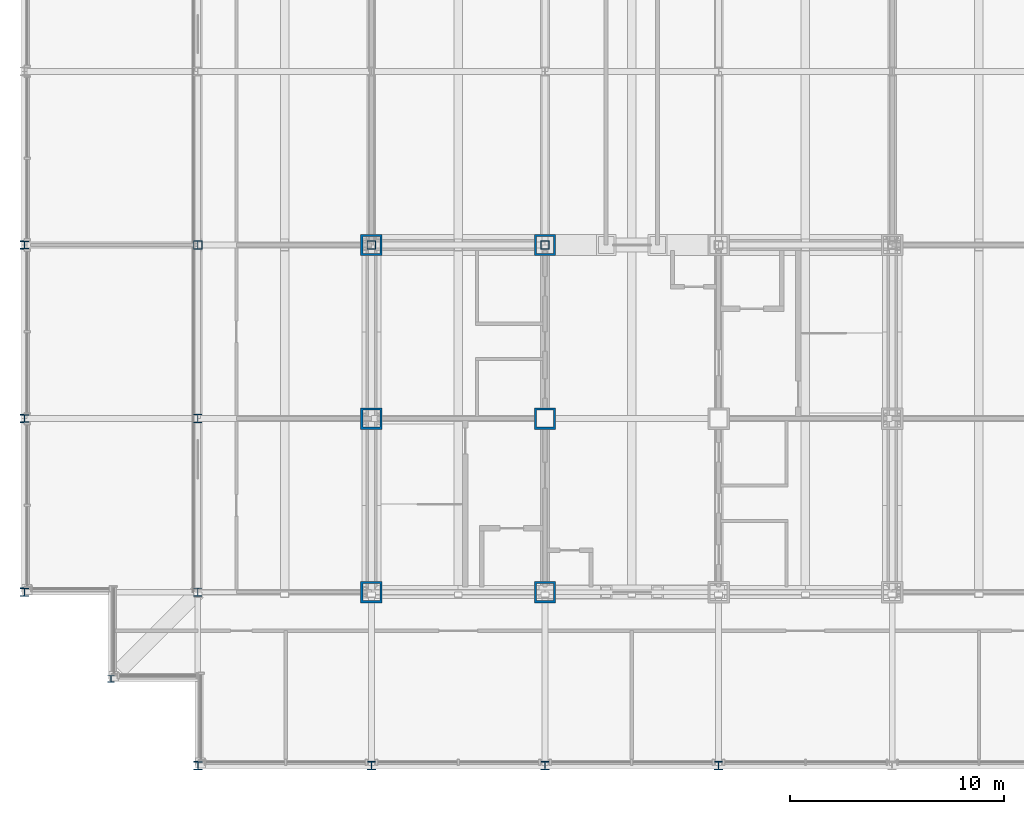
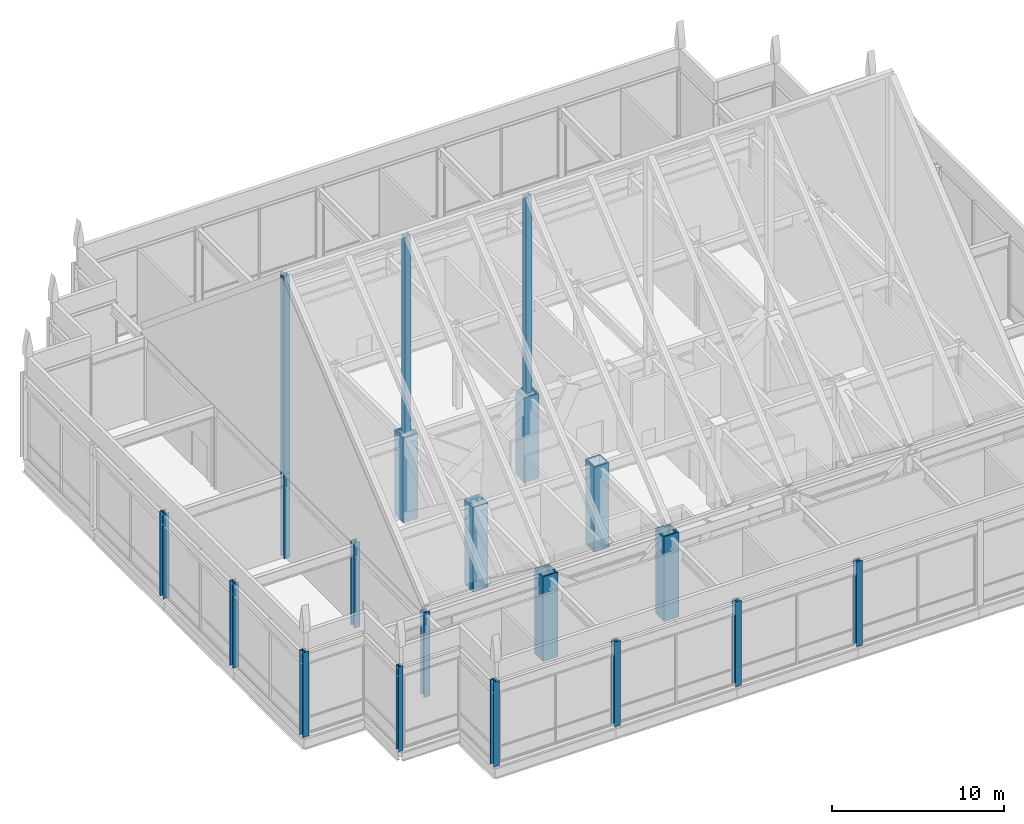
# One storey, part 1 of 22: 20 columns.
"""IFC4 building model written with IfcOpenShell, lengths in metres."""

from ifc_helpers import new_model, si_unit, direction, frame, origin, origin_2d, place, context, subcontext, project, spatial, hollow_rectangle, i_section, extrude, material, material_profile, profile_set, type_object, element, save


model = new_model("IFC4")

# Units and contexts
model_context = context("Model", 3, precision=1e-05, world=origin(), true_north=direction((0.0, 1.0)))
body_context = subcontext(model_context, "Body", "Model", "MODEL_VIEW")
ifc_project = project(units=[si_unit("LENGTHUNIT", "METRE"), si_unit("AREAUNIT", "SQUARE_METRE"), si_unit("VOLUMEUNIT", "CUBIC_METRE"), si_unit("PLANEANGLEUNIT", "RADIAN"), si_unit("MASSUNIT", "GRAM", prefix="KILO")], contexts=[model_context])

# Site, building, storey
site_placement = place(None, origin())
site = spatial("IfcSite", under=ifc_project, at=site_placement, CompositionType="ELEMENT")
building_placement = place(site_placement, origin())
building = spatial("IfcBuilding", under=site, at=building_placement, Name="Kopane Lantern Tower", CompositionType="ELEMENT")
storey_placement = place(building_placement, frame((0.0, 0.0, 303.89990234375)))
storey = spatial("IfcBuildingStorey", under=building, at=storey_placement, Name="L77", CompositionType="ELEMENT", Elevation=303.89990234375)

# Columns
ifc_material_1 = material(Name="Steel S355JR", Category="steel")
ifc_material_profile_1 = material_profile(ifc_material_1, hollow_rectangle(XDim=1.0, YDim=1.0, WallThickness=0.10009765625, at=origin_2d()), Name="BOX 1000x1000x100")
ifc_profile_set_1 = profile_set([ifc_material_profile_1], Name="Steel S355JR")
column_type_1 = type_object("IfcColumnType", Name="COLUMN BOX 1000x1000x100", PredefinedType="COLUMN", material=ifc_profile_set_1)
for number, where, z_axis, x_axis, name in (
    (1, (16.199951171875, 24.300048828125, 0.0), (0.0, 0.0, 1.0), (1.0, 0.0, 0.0), "Column 4/E L77"),
    (2, (16.199951171875, 32.39990234375, 0.0), (0.0, 0.0, 1.0), (1.0, 0.0, 0.0), "Column 4/F L77"),
    (3, (16.199951171875, 40.5, 0.0), (0.0, 0.0, 1.0), (1.0, 0.0, 0.0), "Column 4/G L77"),
    (4, (24.300048828125, 24.300048828125, 0.0), (0.0, 0.0, 1.0), (1.0, 0.0, 0.0), "Column 5/E L77"),
    (5, (24.300048828125, 32.39990234375, 0.0), (0.0, 0.0, 1.0), (1.0, 0.0, 0.0), "Column 5/F L77"),
    (6, (24.300048828125, 40.5, 0.0), (0.0, 0.0, 1.0), (1.0, 0.0, 0.0), "Column 5/G L77"),
):
    element("IfcColumn", number, at=place(storey_placement, frame(where, z_axis=z_axis, x_axis=x_axis)), inside=storey, type_object=column_type_1, Name=name, PredefinedType="COLUMN", context=body_context, shape_type="SweptSolid", body=[
        extrude(hollow_rectangle(XDim=1.0, YDim=1.0, WallThickness=0.10009765625, at=origin_2d()), origin(), (0.0, 0.0, 1.0), 6.0),
    ])
ifc_material_2 = material(Name="Steel S355JR", Category="steel")
ifc_material_profile_2 = material_profile(ifc_material_2, i_section(OverallWidth=0.307373046875, OverallDepth=0.314453125, WebThickness=0.011962890625, FlangeThickness=0.018798828125, FilletRadius=0.01513671875, at=origin_2d()), Name="UC 305x305x118")
ifc_profile_set_2 = profile_set([ifc_material_profile_2], Name="Steel S355JR")
column_type_2 = type_object("IfcColumnType", Name="COLUMN UC 305x305x118", PredefinedType="COLUMN", material=ifc_profile_set_2)
column_placement = place(storey_placement, frame((4.050048828125, 20.25, 0.0), z_axis=(0.0, 0.0, 1.0), x_axis=(1.0, 0.0, 0.0)))
element("IfcColumn", 7, at=column_placement, inside=storey, type_object=column_type_2, Name="Column 4.05/20.25 L77", PredefinedType="COLUMN", context=body_context, shape_type="SweptSolid", body=[
    extrude(i_section(OverallWidth=0.307373046875, OverallDepth=0.314453125, WebThickness=0.011962890625, FlangeThickness=0.018798828125, FilletRadius=0.01513671875, at=origin_2d()), origin(), (0.0, 0.0, 1.0), 6.0),
])
ifc_material_3 = material(Name="Steel S355JR", Category="steel")
ifc_material_profile_3 = material_profile(ifc_material_3, i_section(OverallWidth=0.39892578125, OverallDepth=0.3935546875, WebThickness=0.022705078125, FlangeThickness=0.03662109375, FilletRadius=0.01513671875, at=origin_2d()), Name="UC 356x406x287")
ifc_profile_set_3 = profile_set([ifc_material_profile_3], Name="Steel S355JR")
column_type_3 = type_object("IfcColumnType", Name="COLUMN UC 356x406x287", PredefinedType="COLUMN", material=ifc_profile_set_3)
for number, where, z_axis, x_axis, name in (
    (8, (0.0, 24.300048828125, 0.0), (0.0, 0.0, 1.0), (1.0, 0.0, 0.0), "Column 2/E L77"),
    (9, (0.0, 32.39990234375, 0.0), (0.0, 0.0, 1.0), (1.0, 0.0, 0.0), "Column 2/F L77"),
    (10, (0.0, 40.5, 0.0), (0.0, 0.0, 1.0), (1.0, 0.0, 0.0), "Column 2/G L77"),
    (11, (8.10009765625, 16.199951171875, 0.0), (0.0, 0.0, 1.0), (1.0, 0.0, 0.0), "Column 3/D L77"),
    (12, (16.199951171875, 16.199951171875, 0.0), (0.0, 0.0, 1.0), (1.0, 0.0, 0.0), "Column 4/D L77"),
    (13, (24.300048828125, 16.199951171875, 0.0), (0.0, 0.0, 1.0), (1.0, 0.0, 0.0), "Column 5/D L77"),
    (14, (32.39990234375, 16.199951171875, 0.0), (0.0, 0.0, 1.0), (1.0, 0.0, 0.0), "Column 6/D L77"),
):
    element("IfcColumn", number, at=place(storey_placement, frame(where, z_axis=z_axis, x_axis=x_axis)), inside=storey, type_object=column_type_3, Name=name, PredefinedType="COLUMN", context=body_context, shape_type="SweptSolid", body=[
        extrude(i_section(OverallWidth=0.39892578125, OverallDepth=0.3935546875, WebThickness=0.022705078125, FlangeThickness=0.03662109375, FilletRadius=0.01513671875, at=origin_2d()), origin(), (0.0, 0.0, 1.0), 6.0),
    ])
ifc_material_4 = material(Name="Steel S355JR", Category="steel")
ifc_material_profile_4 = material_profile(ifc_material_4, i_section(OverallWidth=0.403076171875, OverallDepth=0.406494140625, WebThickness=0.026611328125, FlangeThickness=0.04296875, FilletRadius=0.01513671875, at=origin_2d()), Name="UC 356x406x340")
ifc_profile_set_4 = profile_set([ifc_material_profile_4], Name="Steel S355JR")
column_type_4 = type_object("IfcColumnType", Name="COLUMN UC 356x406x340", PredefinedType="COLUMN", material=ifc_profile_set_4)
for number, where, z_axis, x_axis, name in (
    (15, (8.10009765625, 24.300048828125, 0.0), (0.0, 0.0, 1.0), (1.0, 0.0, 0.0), "Column 3/E L77"),
    (16, (8.10009765625, 32.39990234375, 0.0), (0.0, 0.0, 1.0), (1.0, 0.0, 0.0), "Column 3/F L77"),
    (17, (8.10009765625, 40.5, 0.0), (0.0, 0.0, 1.0), (1.0, 0.0, 0.0), "Column 3/G L77"),
):
    element("IfcColumn", number, at=place(storey_placement, frame(where, z_axis=z_axis, x_axis=x_axis)), inside=storey, type_object=column_type_4, Name=name, PredefinedType="COLUMN", context=body_context, shape_type="SweptSolid", body=[
        extrude(i_section(OverallWidth=0.403076171875, OverallDepth=0.406494140625, WebThickness=0.026611328125, FlangeThickness=0.04296875, FilletRadius=0.01513671875, at=origin_2d()), origin(), (0.0, 0.0, 1.0), 6.0),
    ])
ifc_material_5 = material(Name="Steel S355JR", Category="steel")
ifc_material_profile_5 = material_profile(ifc_material_5, hollow_rectangle(XDim=0.39990234375, YDim=0.39990234375, WallThickness=0.01611328125, at=origin_2d()), Name="RHS 400x400x16")
ifc_profile_set_5 = profile_set([ifc_material_profile_5], Name="Steel S355JR")
column_type_5 = type_object("IfcColumnType", Name="LANTERN POST SHS 400x400x16", PredefinedType="COLUMN", material=ifc_profile_set_5)
for number, where, z_axis, x_axis, name in (
    (18, (8.10009765625, 40.5, 6.0), (0.0, 0.0, 1.0), (1.0, 0.0, 0.0), "Lantern post"),
    (19, (16.199951171875, 40.5, 6.0), (0.0, 0.0, 1.0), (1.0, 0.0, 0.0), "Lantern post"),
    (20, (24.300048828125, 40.5, 6.0), (0.0, 0.0, 1.0), (1.0, 0.0, 0.0), "Lantern post"),
):
    element("IfcColumn", number, at=place(storey_placement, frame(where, z_axis=z_axis, x_axis=x_axis)), inside=storey, type_object=column_type_5, Name=name, PredefinedType="COLUMN", context=body_context, shape_type="SweptSolid", body=[
        extrude(hollow_rectangle(XDim=0.39990234375, YDim=0.39990234375, WallThickness=0.01611328125, at=origin_2d()), origin(), (0.0, 0.0, 1.0), 13.895751953125),
    ])

save(model, "model.ifc")
